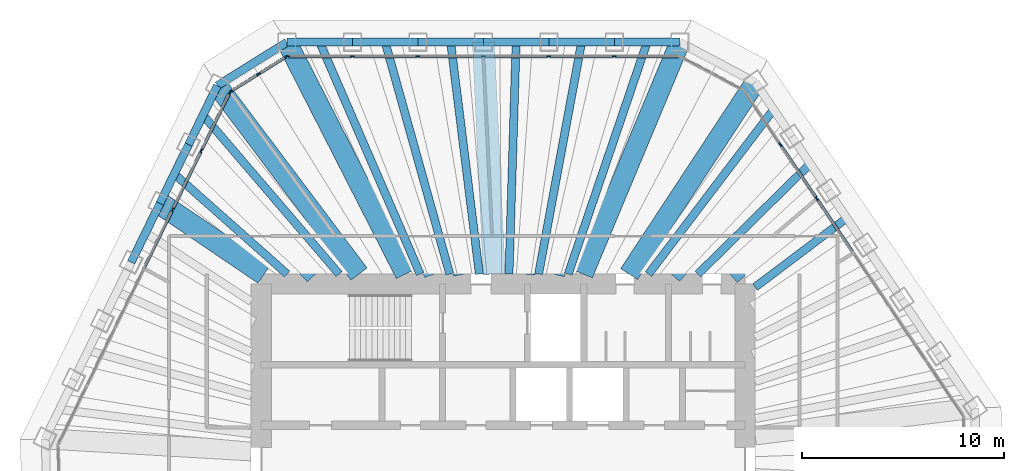
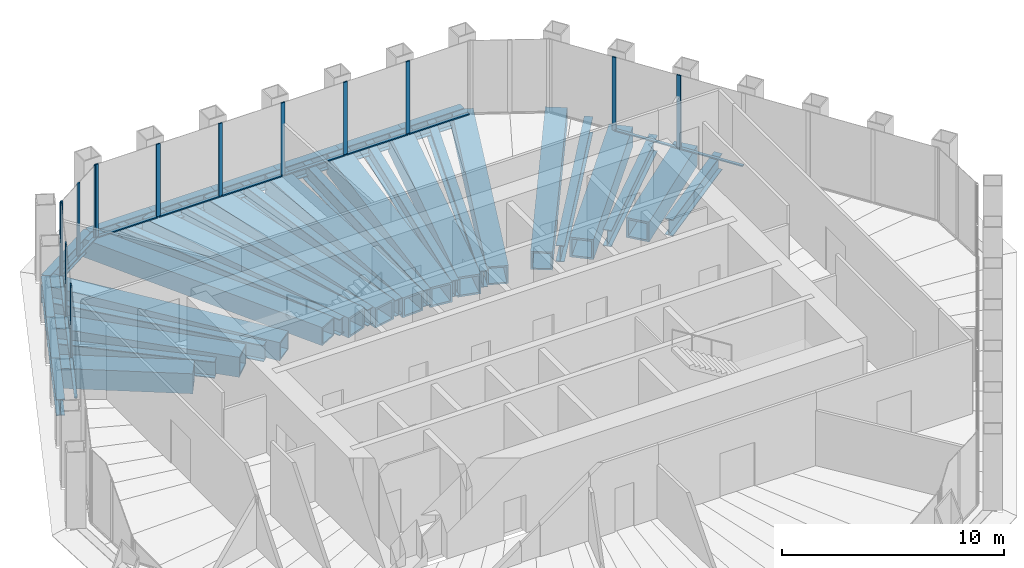
# One storey, part 7 of 14: 34 beams, 27 members, 4 elements without a shape of their own.
"""IFC4 building model written with IfcOpenShell, lengths in metres."""

import ifcopenshell
import ifcopenshell.guid

model = None  # the IFC model being written
_history = None  # IfcOwnerHistory: only IFC2X3 demands one
_inside = {}  # id of a spatial element -> (the spatial element, [elements in it])
_under = {}  # id of a project, library or spatial element -> (it, [spatial elements below it])
_declared = {}  # id of a project -> (the project, [libraries it declares])
_typed = {}  # id of a type object -> (the type object, [elements of that type])
_made_of = {}  # id of a material, layer set ... -> (it, [elements and type objects made of it])


def new_model(schema):
    """Start an empty IFC model of exactly this schema.

    Asked for "IFC4X3", IfcOpenShell would pick the latest addendum, in which some entities
    have other attributes; the version numbers below select the first issue.
    IFC2X3 requires an IfcOwnerHistory on every rooted entity: one is made here for all.
    """
    global model, _history
    if schema == "IFC4X3":
        model = ifcopenshell.file(schema_version=(4, 3, 0, 0))
    else:
        model = ifcopenshell.file(schema=schema)
    _inside.clear()
    _under.clear()
    _declared.clear()
    _typed.clear()
    _made_of.clear()
    _history = None
    if model.schema == "IFC2X3":
        org = make("IfcOrganization", Name="unknown")
        user = make(
            "IfcPersonAndOrganization",
            ThePerson=make("IfcPerson", FamilyName="unknown"),
            TheOrganization=org,
        )
        app = make(
            "IfcApplication",
            ApplicationDeveloper=org,
            Version="unknown",
            ApplicationFullName="unknown",
            ApplicationIdentifier="unknown",
        )
        _history = make(
            "IfcOwnerHistory",
            OwningUser=user,
            OwningApplication=app,
            ChangeAction="ADDED",
            CreationDate=0,
        )
    return model


def make(cls, **values):
    """One entity of the class cls with the attributes given. An attribute that is None is left unset."""
    return model.create_entity(
        cls, **{name: value for name, value in values.items() if value is not None}
    )


def rooted(cls, **values):
    """An entity with a GlobalId (a new one), such as an element, a storey or a relation."""
    return make(cls, GlobalId=ifcopenshell.guid.new(), OwnerHistory=_history, **values)


def si_unit(unit_type, name, prefix=None):
    """IfcSIUnit, for example si_unit("LENGTHUNIT", "METRE", prefix="MILLI")."""
    return make("IfcSIUnit", UnitType=unit_type, Prefix=prefix, Name=name)


def assignment(units):
    """IfcUnitAssignment: the units of a project."""
    return None if units is None else make("IfcUnitAssignment", Units=units)


def point(xyz):
    """IfcCartesianPoint."""
    return None if xyz is None else make("IfcCartesianPoint", Coordinates=xyz)


def direction(xyz):
    """IfcDirection."""
    return None if xyz is None else make("IfcDirection", DirectionRatios=xyz)


def frame(location, z_axis=None, x_axis=None):
    """IfcAxis2Placement3D, a coordinate frame: its origin and axes. An axis left out is left unset."""
    return make(
        "IfcAxis2Placement3D",
        Location=point(location),
        Axis=direction(z_axis),
        RefDirection=direction(x_axis),
    )


def frame_2d(location, x_axis=None):
    """IfcAxis2Placement2D, a coordinate frame in the plane: its origin and x axis."""
    return make(
        "IfcAxis2Placement2D", Location=point(location), RefDirection=direction(x_axis)
    )


def origin():
    """The frame at (0, 0, 0) with its axes left unset."""
    return frame((0.0, 0.0, 0.0))


def origin_2d():
    """The frame at (0, 0) in the plane with its x axis left unset."""
    return frame_2d((0.0, 0.0))


def place(relative_to, where):
    """IfcLocalPlacement: puts the frame where relative to a parent placement (None: the world)."""
    return make(
        "IfcLocalPlacement", PlacementRelTo=relative_to, RelativePlacement=where
    )


def context(
    kind, dimensions, precision=None, world=None, true_north=None, identifier=None
):
    """IfcGeometricRepresentationContext, for example the 3D "Model" context."""
    return make(
        "IfcGeometricRepresentationContext",
        ContextIdentifier=identifier,
        ContextType=kind,
        CoordinateSpaceDimension=dimensions,
        Precision=precision,
        WorldCoordinateSystem=world,
        TrueNorth=true_north,
    )


def subcontext(parent, identifier, kind, view, scale=None):
    """IfcGeometricRepresentationSubContext, for example "Body" below "Model"."""
    return make(
        "IfcGeometricRepresentationSubContext",
        ContextIdentifier=identifier,
        ContextType=kind,
        ParentContext=parent,
        TargetScale=scale,
        TargetView=view,
    )


def project(units=None, contexts=None):
    """IfcProject with its units and contexts."""
    return rooted(
        "IfcProject",
        Name="project",
        RepresentationContexts=contexts,
        UnitsInContext=assignment(units),
    )


def spatial(cls, under=None, at=None, **own):
    """A site, building, storey or space (cls), placed at a placement, below another one or the project."""
    s = rooted(cls, ObjectPlacement=at, **own)
    if under is not None:
        _under.setdefault(under.id(), (under, []))[1].append(s)
    return s


def profile(cls, at=None, kind="AREA", **sizes):
    """A parametric profile (cls). Its sizes go by their IFC names, for example OverallWidth=200.0."""
    return make(cls, ProfileType=kind, Position=at, **sizes)


def rectangle(**sizes):
    """IfcRectangleProfileDef."""
    return profile("IfcRectangleProfileDef", **sizes)


def hollow_rectangle(**sizes):
    """IfcRectangleHollowProfileDef."""
    return profile("IfcRectangleHollowProfileDef", **sizes)


def i_section(**sizes):
    """IfcIShapeProfileDef."""
    return profile("IfcIShapeProfileDef", **sizes)


def extrude(swept, where, along, depth):
    """IfcExtrudedAreaSolid: the profile swept, set in the frame where, extruded along a direction by depth."""
    return make(
        "IfcExtrudedAreaSolid",
        SweptArea=swept,
        Position=where,
        ExtrudedDirection=direction(along),
        Depth=depth,
    )


def shape(context_of_items, identifier, shape_type, items):
    """IfcShapeRepresentation: the items that make up one representation, for example the "Body"."""
    return make(
        "IfcShapeRepresentation",
        ContextOfItems=context_of_items,
        RepresentationIdentifier=identifier,
        RepresentationType=shape_type,
        Items=items,
    )


def material(Name=None, Category=None):
    """IfcMaterial."""
    return make("IfcMaterial", Name=Name, Category=Category)


def material_profile(
    of_material, cross_section, Name=None, Category=None, Priority=None
):
    """IfcMaterialProfile: a cross section and its material."""
    return make(
        "IfcMaterialProfile",
        Name=Name,
        Material=of_material,
        Profile=cross_section,
        Priority=Priority,
        Category=Category,
    )


def profile_set(profiles, Name=None, composite=None):
    """IfcMaterialProfileSet."""
    return make(
        "IfcMaterialProfileSet",
        Name=Name,
        MaterialProfiles=profiles,
        CompositeProfile=composite,
    )


def made_of(thing, what):
    """Note that an element or type object is made of a material, layer set ...; save() writes the relation."""
    if what is not None:
        _made_of.setdefault(what.id(), (what, []))[1].append(thing)
    return thing


def type_object(cls, material=None, **own):
    """A type object (cls), such as IfcWallType, which elements share."""
    return made_of(rooted(cls, **own), material)


def element(
    cls,
    number,
    at=None,
    inside=None,
    cuts=None,
    type_object=None,
    material=None,
    context=None,
    identifier="Body",
    shape_type=None,
    held_by="IfcProductDefinitionShape",
    body=None,
    shapes=None,
    **own,
):
    """One element of the class cls, such as IfcWall. Its Tag is "e" and its number.

    at: its placement. inside: the storey or other place that contains it. cuts: it is an
    opening in that element (IfcRelVoidsElement). A single representation is given by context,
    identifier, shape_type and body (its items); several are given by shapes. held_by: the class
    of the entity that holds the representations. save() writes the other relations.
    """
    e = rooted(cls, Tag="e%d" % number, ObjectPlacement=at, **own)
    if body is not None:
        shapes = [shape(context, identifier, shape_type, body)]
    if shapes is not None:
        e.Representation = make(held_by, Representations=shapes)
    if inside is not None:
        _inside.setdefault(inside.id(), (inside, []))[1].append(e)
    if cuts is not None:
        rooted(
            "IfcRelVoidsElement", RelatingBuildingElement=cuts, RelatedOpeningElement=e
        )
    if type_object is not None:
        _typed.setdefault(type_object.id(), (type_object, []))[1].append(e)
    return made_of(e, material)


def aggregate(whole, parts):
    """IfcRelAggregates: a whole, such as a stair, and the parts it consists of."""
    return rooted("IfcRelAggregates", RelatingObject=whole, RelatedObjects=parts)


def save(model, path):
    """Write the relations noted so far, then the file.

    IfcRelAggregates (storeys below a building ...), IfcRelContainedInSpatialStructure (elements
    in a storey), IfcRelDefinesByType, IfcRelAssociatesMaterial and IfcRelDeclares: one each for
    every whole, place, type object, material and project.
    """
    for whole, parts in _under.values():
        aggregate(whole, parts)
    for where, things in _inside.values():
        rooted(
            "IfcRelContainedInSpatialStructure",
            RelatedElements=things,
            RelatingStructure=where,
        )
    for kind, things in _typed.values():
        rooted("IfcRelDefinesByType", RelatedObjects=things, RelatingType=kind)
    for what, things in _made_of.values():
        rooted("IfcRelAssociatesMaterial", RelatedObjects=things, RelatingMaterial=what)
    for by, libraries in _declared.values():
        rooted("IfcRelDeclares", RelatingContext=by, RelatedDefinitions=libraries)
    model.write(path)


model = new_model("IFC4")

# Units and contexts
model_context = context("Model", 3, precision=1e-05, world=origin(), true_north=direction((0.0, 1.0)))
body_context = subcontext(model_context, "Body", "Model", "MODEL_VIEW")
ifc_project = project(units=[si_unit("LENGTHUNIT", "METRE"), si_unit("AREAUNIT", "SQUARE_METRE"), si_unit("VOLUMEUNIT", "CUBIC_METRE"), si_unit("PLANEANGLEUNIT", "RADIAN"), si_unit("MASSUNIT", "GRAM", prefix="KILO")], contexts=[model_context])

# Site, building, storey
site_placement = place(None, origin())
site = spatial("IfcSite", under=ifc_project, at=site_placement, CompositionType="ELEMENT")
building_placement = place(site_placement, origin())
building = spatial("IfcBuilding", under=site, at=building_placement, Name="Qingtian Harvest Tower", CompositionType="ELEMENT")
storey_placement = place(building_placement, frame((0.0, 0.0, 299.800048828125)))
storey = spatial("IfcBuildingStorey", under=building, at=storey_placement, Name="L66", CompositionType="ELEMENT", Elevation=299.800048828125)

# Beams
ifc_material_1 = material(Name="Steel SN490B", Category="steel")
ifc_material_profile_1 = material_profile(ifc_material_1, i_section(OverallWidth=0.39990234375, OverallDepth=0.89990234375, WebThickness=0.01904296875, FlangeThickness=0.035888671875, at=origin_2d()), Name="H900x400x19x36")
ifc_profile_set_1 = profile_set([ifc_material_profile_1], Name="Steel SN490B")
beam_type_1 = type_object("IfcBeamType", Name="Floor joist J4 H900x400x19x36", PredefinedType="JOIST", material=ifc_profile_set_1)
beam_1_placement = place(storey_placement, frame((-9.09814453125, 21.0, -0.6201171875), z_axis=(0.397529807491, -0.917589261138, 0.0), x_axis=(0.917589261138, 0.397529807491, 0.0)))
element("IfcBeam", 1, at=beam_1_placement, inside=storey, type_object=beam_type_1, Name="Floor joist J4 N0", PredefinedType="JOIST", context=body_context, shape_type="SweptSolid", body=[
    extrude(i_section(OverallWidth=0.39990234375, OverallDepth=0.89990234375, WebThickness=0.01904296875, FlangeThickness=0.035888671875, at=origin_2d()), origin(), (0.0, 0.0, 1.0), 12.532958984375),
])
beam_2_placement = place(storey_placement, frame((-5.85009765625, 21.0, -0.6201171875), z_axis=(0.268356818155, -0.963319582563, 0.0), x_axis=(0.963319582563, 0.268356818155, 0.0)))
element("IfcBeam", 2, at=beam_2_placement, inside=storey, type_object=beam_type_1, Name="Floor joist J4 N1", PredefinedType="JOIST", context=body_context, shape_type="SweptSolid", body=[
    extrude(i_section(OverallWidth=0.39990234375, OverallDepth=0.89990234375, WebThickness=0.01904296875, FlangeThickness=0.035888671875, at=origin_2d()), origin(), (0.0, 0.0, 1.0), 11.93798828125),
])
beam_3_placement = place(storey_placement, frame((-2.602294921875, 21.0, -0.6201171875), z_axis=(0.122976702395, -0.992409557929, 0.0), x_axis=(0.992409557929, 0.122976702395, 0.0)))
element("IfcBeam", 3, at=beam_3_placement, inside=storey, type_object=beam_type_1, Name="Floor joist J4 N2", PredefinedType="JOIST", context=body_context, shape_type="SweptSolid", body=[
    extrude(i_section(OverallWidth=0.39990234375, OverallDepth=0.89990234375, WebThickness=0.01904296875, FlangeThickness=0.035888671875, at=origin_2d()), origin(), (0.0, 0.0, 1.0), 11.587890625),
])
beam_4_placement = place(storey_placement, frame((0.645751953125, 21.0, -0.6201171875), z_axis=(-0.030725974878, -0.999527845769, 0.0), x_axis=(0.999527845769, -0.030725974878, 0.0)))
element("IfcBeam", 4, at=beam_4_placement, inside=storey, type_object=beam_type_1, Name="Floor joist J4 N3", PredefinedType="JOIST", context=body_context, shape_type="SweptSolid", body=[
    extrude(i_section(OverallWidth=0.39990234375, OverallDepth=0.89990234375, WebThickness=0.01904296875, FlangeThickness=0.035888671875, at=origin_2d()), origin(), (0.0, 0.0, 1.0), 11.50537109375),
])
beam_5_placement = place(storey_placement, frame((3.893798828125, 21.0, -0.6201171875), z_axis=(-0.182312001941, -0.983240730416, 0.0), x_axis=(0.983240730416, -0.182312001941, 0.0)))
element("IfcBeam", 5, at=beam_5_placement, inside=storey, type_object=beam_type_1, Name="Floor joist J4 N4", PredefinedType="JOIST", context=body_context, shape_type="SweptSolid", body=[
    extrude(i_section(OverallWidth=0.39990234375, OverallDepth=0.89990234375, WebThickness=0.01904296875, FlangeThickness=0.035888671875, at=origin_2d()), origin(), (0.0, 0.0, 1.0), 11.696044921875),
])
beam_6_placement = place(storey_placement, frame((7.141845703125, 21.0, -0.6201171875), z_axis=(-0.321968312345, -0.94675044539, 0.0), x_axis=(0.94675044539, -0.321968312345, 0.0)))
element("IfcBeam", 6, at=beam_6_placement, inside=storey, type_object=beam_type_1, Name="Floor joist J4 N5", PredefinedType="JOIST", context=body_context, shape_type="SweptSolid", body=[
    extrude(i_section(OverallWidth=0.39990234375, OverallDepth=0.89990234375, WebThickness=0.01904296875, FlangeThickness=0.035888671875, at=origin_2d()), origin(), (0.0, 0.0, 1.0), 12.146728515625),
])
beam_7_placement = place(storey_placement, frame((13.416015625, 17.6640625, -0.6201171875), z_axis=(-0.604835675798, -0.796350303122, 0.0), x_axis=(0.796350303122, -0.604835675798, 0.0)))
element("IfcBeam", 7, at=beam_7_placement, inside=storey, type_object=beam_type_1, Name="Floor joist J4 NE0", PredefinedType="JOIST", context=body_context, shape_type="SweptSolid", body=[
    extrude(i_section(OverallWidth=0.39990234375, OverallDepth=0.89990234375, WebThickness=0.01904296875, FlangeThickness=0.035888671875, at=origin_2d()), origin(), (0.0, 0.0, 1.0), 10.251953125),
])
beam_8_placement = place(storey_placement, frame((15.232421875, 14.97119140625, -0.6201171875), z_axis=(-0.713195408707, -0.700965269467, 0.0), x_axis=(0.700965269467, -0.713195408707, 0.0)))
element("IfcBeam", 8, at=beam_8_placement, inside=storey, type_object=beam_type_1, Name="Floor joist J4 NE1", PredefinedType="JOIST", context=body_context, shape_type="SweptSolid", body=[
    extrude(i_section(OverallWidth=0.39990234375, OverallDepth=0.89990234375, WebThickness=0.01904296875, FlangeThickness=0.035888671875, at=origin_2d()), origin(), (0.0, 0.0, 1.0), 7.80517578125),
])
beam_9_placement = place(storey_placement, frame((17.048583984375, 12.278564453125, -0.6201171875), z_axis=(-0.79856269076, -0.601911645448, 0.0), x_axis=(0.601911645448, -0.79856269076, 0.0)))
element("IfcBeam", 9, at=beam_9_placement, inside=storey, type_object=beam_type_1, Name="Floor joist J4 NE2", PredefinedType="JOIST", context=body_context, shape_type="SweptSolid", body=[
    extrude(i_section(OverallWidth=0.39990234375, OverallDepth=0.89990234375, WebThickness=0.01904296875, FlangeThickness=0.035888671875, at=origin_2d()), origin(), (0.0, 0.0, 1.0), 5.696044921875),
])
beam_10_placement = place(storey_placement, frame((-16.31005859375, 14.4638671875, -0.6201171875), z_axis=(0.748179407524, -0.663496476372, 0.0), x_axis=(0.663496476372, 0.748179407524, 0.0)))
element("IfcBeam", 10, at=beam_10_placement, inside=storey, type_object=beam_type_1, Name="Floor joist J4 NW4", PredefinedType="JOIST", context=body_context, shape_type="SweptSolid", body=[
    extrude(i_section(OverallWidth=0.39990234375, OverallDepth=0.89990234375, WebThickness=0.01904296875, FlangeThickness=0.035888671875, at=origin_2d()), origin(), (0.0, 0.0, 1.0), 7.4814453125),
])
beam_11_placement = place(storey_placement, frame((-14.88623046875, 17.38330078125, -0.6201171875), z_axis=(0.650436795804, -0.7595603825, 0.0), x_axis=(0.7595603825, 0.650436795804, 0.0)))
element("IfcBeam", 11, at=beam_11_placement, inside=storey, type_object=beam_type_1, Name="Floor joist J4 NW5", PredefinedType="JOIST", context=body_context, shape_type="SweptSolid", body=[
    extrude(i_section(OverallWidth=0.39990234375, OverallDepth=0.89990234375, WebThickness=0.01904296875, FlangeThickness=0.035888671875, at=origin_2d()), origin(), (0.0, 0.0, 1.0), 10.378662109375),
])

# Curtain wall, members
ifc_material_2 = material(Name="Bronze-anodised aluminium curtain wall", Category="aluminium")
curtain_wall_type = type_object("IfcCurtainWallType", Name="Curtain wall CW5 upper office", PredefinedType="USERDEFINED", material=ifc_material_2)
curtain_wall_1_placement = place(storey_placement, origin())
curtain_wall_1 = element("IfcCurtainWall", 12, at=curtain_wall_1_placement, inside=storey, type_object=curtain_wall_type, Name="Curtain wall CW5 L66 N0-5", ObjectType="RECESSED CURTAIN WALL", PredefinedType="USERDEFINED")
ifc_material_3 = material(Name="Bronze-anodised aluminium mullion", Category="aluminium")
ifc_material_profile_2 = material_profile(ifc_material_3, rectangle(XDim=0.06494140625, YDim=0.199951171875, at=origin_2d()), Name="AL 65x200")
ifc_profile_set_2 = profile_set([ifc_material_profile_2], Name="Bronze-anodised aluminium mullion")
member_type_1 = type_object("IfcMemberType", Name="Mullion CWM 65x200", PredefinedType="MULLION", material=ifc_profile_set_2)
member_1_placement = place(storey_placement, frame((-10.689697265625, 20.300048828125, 0.0), z_axis=(0.0, 0.0, 1.0), x_axis=(0.0, 1.0, 0.0)))
member_1 = element("IfcMember", 13, at=member_1_placement, type_object=member_type_1, Name="CW5 mullion 1", PredefinedType="MULLION", context=body_context, shape_type="SweptSolid", body=[
    extrude(rectangle(XDim=0.06494140625, YDim=0.199951171875, at=origin_2d()), origin(), (0.0, 0.0, 1.0), 4.030029296875),
])
member_2_placement = place(storey_placement, frame((-7.47412109375, 20.300048828125, 0.0), z_axis=(0.0, 0.0, 1.0), x_axis=(0.0, 1.0, 0.0)))
member_2 = element("IfcMember", 14, at=member_2_placement, type_object=member_type_1, Name="CW5 mullion 2", PredefinedType="MULLION", context=body_context, shape_type="SweptSolid", body=[
    extrude(rectangle(XDim=0.06494140625, YDim=0.199951171875, at=origin_2d()), origin(), (0.0, 0.0, 1.0), 4.030029296875),
])
member_3_placement = place(storey_placement, frame((-4.226318359375, 20.300048828125, 0.0), z_axis=(0.0, 0.0, 1.0), x_axis=(0.0, 1.0, 0.0)))
member_3 = element("IfcMember", 15, at=member_3_placement, type_object=member_type_1, Name="CW5 mullion 3", PredefinedType="MULLION", context=body_context, shape_type="SweptSolid", body=[
    extrude(rectangle(XDim=0.06494140625, YDim=0.199951171875, at=origin_2d()), origin(), (0.0, 0.0, 1.0), 4.030029296875),
])
member_4_placement = place(storey_placement, frame((-0.978271484375, 20.300048828125, 0.0), z_axis=(0.0, 0.0, 1.0), x_axis=(0.0, 1.0, 0.0)))
member_4 = element("IfcMember", 16, at=member_4_placement, type_object=member_type_1, Name="CW5 mullion 4", PredefinedType="MULLION", context=body_context, shape_type="SweptSolid", body=[
    extrude(rectangle(XDim=0.06494140625, YDim=0.199951171875, at=origin_2d()), origin(), (0.0, 0.0, 1.0), 4.030029296875),
])
member_5_placement = place(storey_placement, frame((2.269775390625, 20.300048828125, 0.0), z_axis=(0.0, 0.0, 1.0), x_axis=(0.0, 1.0, 0.0)))
member_5 = element("IfcMember", 17, at=member_5_placement, type_object=member_type_1, Name="CW5 mullion 5", PredefinedType="MULLION", context=body_context, shape_type="SweptSolid", body=[
    extrude(rectangle(XDim=0.06494140625, YDim=0.199951171875, at=origin_2d()), origin(), (0.0, 0.0, 1.0), 4.030029296875),
])
member_6_placement = place(storey_placement, frame((5.517822265625, 20.300048828125, 0.0), z_axis=(0.0, 0.0, 1.0), x_axis=(0.0, 1.0, 0.0)))
member_6 = element("IfcMember", 18, at=member_6_placement, type_object=member_type_1, Name="CW5 mullion 6", PredefinedType="MULLION", context=body_context, shape_type="SweptSolid", body=[
    extrude(rectangle(XDim=0.06494140625, YDim=0.199951171875, at=origin_2d()), origin(), (0.0, 0.0, 1.0), 4.030029296875),
])

curtain_wall_2_placement = place(storey_placement, origin())
curtain_wall_2 = element("IfcCurtainWall", 19, at=curtain_wall_2_placement, inside=storey, type_object=curtain_wall_type, Name="Curtain wall CW5 L66 NE0-5", ObjectType="RECESSED CURTAIN WALL", PredefinedType="USERDEFINED")
member_7_placement = place(storey_placement, frame((13.743896484375, 15.926025390625, 0.0), z_axis=(0.0, 0.0, 1.0), x_axis=(0.829037572555, 0.559192903471, 0.0)))
member_7 = element("IfcMember", 20, at=member_7_placement, type_object=member_type_1, Name="CW5 mullion 2", PredefinedType="MULLION", context=body_context, shape_type="SweptSolid", body=[
    extrude(rectangle(XDim=0.06494140625, YDim=0.199951171875, at=origin_2d()), origin(), (0.0, 0.0, 1.0), 4.030029296875),
])
member_8_placement = place(storey_placement, frame((15.56005859375, 13.2333984375, 0.0), z_axis=(0.0, 0.0, 1.0), x_axis=(0.829037572555, 0.559192903471, 0.0)))
member_8 = element("IfcMember", 21, at=member_8_placement, type_object=member_type_1, Name="CW5 mullion 3", PredefinedType="MULLION", context=body_context, shape_type="SweptSolid", body=[
    extrude(rectangle(XDim=0.06494140625, YDim=0.199951171875, at=origin_2d()), origin(), (0.0, 0.0, 1.0), 4.030029296875),
])

curtain_wall_3_placement = place(storey_placement, origin())
curtain_wall_3 = element("IfcCurtainWall", 22, at=curtain_wall_3_placement, inside=storey, type_object=curtain_wall_type, Name="Curtain wall CW5 L66 NW0-5", ObjectType="RECESSED CURTAIN WALL", PredefinedType="USERDEFINED")
member_9_placement = place(storey_placement, frame((-16.392822265625, 12.697509765625, 0.0), z_axis=(0.0, 0.0, 1.0), x_axis=(-0.898794046299, 0.438371146789, 0.0)))
member_9 = element("IfcMember", 23, at=member_9_placement, type_object=member_type_1, Name="CW5 mullion 5", PredefinedType="MULLION", context=body_context, shape_type="SweptSolid", body=[
    extrude(rectangle(XDim=0.06494140625, YDim=0.199951171875, at=origin_2d()), origin(), (0.0, 0.0, 1.0), 4.030029296875),
])
member_10_placement = place(storey_placement, frame((-14.968994140625, 15.61669921875, 0.0), z_axis=(0.0, 0.0, 1.0), x_axis=(-0.898794046299, 0.438371146789, 0.0)))
member_10 = element("IfcMember", 24, at=member_10_placement, type_object=member_type_1, Name="CW5 mullion 6", PredefinedType="MULLION", context=body_context, shape_type="SweptSolid", body=[
    extrude(rectangle(XDim=0.06494140625, YDim=0.199951171875, at=origin_2d()), origin(), (0.0, 0.0, 1.0), 4.030029296875),
])
member_11_placement = place(storey_placement, frame((-13.559326171875, 18.5068359375, 0.0), z_axis=(0.0, 0.0, 1.0), x_axis=(-0.898794046299, 0.438371146789, 0.0)))
member_11 = element("IfcMember", 25, at=member_11_placement, type_object=member_type_1, Name="CW5 mullion 7", PredefinedType="MULLION", context=body_context, shape_type="SweptSolid", body=[
    extrude(rectangle(XDim=0.06494140625, YDim=0.199951171875, at=origin_2d()), origin(), (0.0, 0.0, 1.0), 4.030029296875),
])

curtain_wall_4_placement = place(storey_placement, origin())
curtain_wall_4 = element("IfcCurtainWall", 26, at=curtain_wall_4_placement, inside=storey, type_object=curtain_wall_type, Name="Curtain wall CW5 L66 NWC", ObjectType="RECESSED CURTAIN WALL", PredefinedType="USERDEFINED")
member_12_placement = place(storey_placement, frame((-13.517578125, 18.55322265625, 0.0), z_axis=(0.0, 0.0, 1.0), x_axis=(-0.529919264233, 0.848048096156, 0.0)))
member_12 = element("IfcMember", 27, at=member_12_placement, type_object=member_type_1, Name="CW5 mullion 1", PredefinedType="MULLION", context=body_context, shape_type="SweptSolid", body=[
    extrude(rectangle(XDim=0.06494140625, YDim=0.199951171875, at=origin_2d()), origin(), (0.0, 0.0, 1.0), 4.030029296875),
])
member_13_placement = place(storey_placement, frame((-12.1337890625, 19.41796875, 0.0), z_axis=(0.0, 0.0, 1.0), x_axis=(-0.529919264233, 0.848048096156, 0.0)))
member_13 = element("IfcMember", 28, at=member_13_placement, type_object=member_type_1, Name="CW5 mullion 2", PredefinedType="MULLION", context=body_context, shape_type="SweptSolid", body=[
    extrude(rectangle(XDim=0.06494140625, YDim=0.199951171875, at=origin_2d()), origin(), (0.0, 0.0, 1.0), 4.030029296875),
])
member_14_placement = place(storey_placement, frame((-10.749755859375, 20.28271484375, 0.0), z_axis=(0.0, 0.0, 1.0), x_axis=(-0.529919264233, 0.848048096156, 0.0)))
member_14 = element("IfcMember", 29, at=member_14_placement, type_object=member_type_1, Name="CW5 mullion 3", PredefinedType="MULLION", context=body_context, shape_type="SweptSolid", body=[
    extrude(rectangle(XDim=0.06494140625, YDim=0.199951171875, at=origin_2d()), origin(), (0.0, 0.0, 1.0), 4.030029296875),
])

# Beams
ifc_material_4 = material(Name="Steel SN490B", Category="steel")
ifc_material_profile_3 = material_profile(ifc_material_4, i_section(OverallWidth=0.39990234375, OverallDepth=0.89990234375, WebThickness=0.01904296875, FlangeThickness=0.035888671875, at=origin_2d()), Name="H900x400x19x36")
ifc_profile_set_3 = profile_set([ifc_material_profile_3], Name="Steel SN490B")
beam_type_2 = type_object("IfcBeamType", Name="Spandrel beam SB4 H900x400x19x36", PredefinedType="SPANDREL", material=ifc_profile_set_3)
beam_12_placement = place(storey_placement, frame((-10.72216796875, 21.0, -0.449951171875), z_axis=(1.0, 0.0, 0.0), x_axis=(0.0, 1.0, 0.0)))
element("IfcBeam", 30, at=beam_12_placement, inside=storey, type_object=beam_type_2, Name="Spandrel SB4 N0", PredefinedType="SPANDREL", context=body_context, shape_type="SweptSolid", body=[
    extrude(i_section(OverallWidth=0.39990234375, OverallDepth=0.89990234375, WebThickness=0.01904296875, FlangeThickness=0.035888671875, at=origin_2d()), origin(), (0.0, 0.0, 1.0), 3.248046875),
])
beam_13_placement = place(storey_placement, frame((-7.47412109375, 21.0, -0.449951171875), z_axis=(1.0, 0.0, 0.0), x_axis=(0.0, 1.0, 0.0)))
element("IfcBeam", 31, at=beam_13_placement, inside=storey, type_object=beam_type_2, Name="Spandrel SB4 N1", PredefinedType="SPANDREL", context=body_context, shape_type="SweptSolid", body=[
    extrude(i_section(OverallWidth=0.39990234375, OverallDepth=0.89990234375, WebThickness=0.01904296875, FlangeThickness=0.035888671875, at=origin_2d()), origin(), (0.0, 0.0, 1.0), 3.247802734375),
])
for number, where, z_axis, x_axis, name in (
    (32, (-4.226318359375, 21.0, -0.449951171875), (1.0, 0.0, 0.0), (0.0, 1.0, 0.0), "Spandrel SB4 N2"),
    (33, (-0.978271484375, 21.0, -0.449951171875), (1.0, 0.0, 0.0), (0.0, 1.0, 0.0), "Spandrel SB4 N3"),
    (34, (2.269775390625, 21.0, -0.449951171875), (1.0, 0.0, 0.0), (0.0, 1.0, 0.0), "Spandrel SB4 N4"),
    (35, (5.517822265625, 21.0, -0.449951171875), (1.0, 0.0, 0.0), (0.0, 1.0, 0.0), "Spandrel SB4 N5"),
    (36, (-18.44580078125, 10.0849609375, -0.449951171875), (0.438352548749, 0.898803116931, 0.0), (-0.898803116931, 0.438352548749, 0.0), "Spandrel SB4 NW3"),
):
    element("IfcBeam", number, at=place(storey_placement, frame(where, z_axis=z_axis, x_axis=x_axis)), inside=storey, type_object=beam_type_2, Name=name, PredefinedType="SPANDREL", context=body_context, shape_type="SweptSolid", body=[
        extrude(i_section(OverallWidth=0.39990234375, OverallDepth=0.89990234375, WebThickness=0.01904296875, FlangeThickness=0.035888671875, at=origin_2d()), origin(), (0.0, 0.0, 1.0), 3.248046875),
    ])
for number, where, z_axis, x_axis, name in (
    (37, (-17.02197265625, 13.00439453125, -0.449951171875), (0.438382164311, 0.898788672611, 0.0), (-0.898788672611, 0.438382164311, 0.0), "Spandrel SB4 NW4"),
    (38, (-15.59814453125, 15.923583984375, -0.449951171875), (0.438382164311, 0.898788672611, 0.0), (-0.898788672611, 0.438382164311, 0.0), "Spandrel SB4 NW5"),
):
    element("IfcBeam", number, at=place(storey_placement, frame(where, z_axis=z_axis, x_axis=x_axis)), inside=storey, type_object=beam_type_2, Name=name, PredefinedType="SPANDREL", context=body_context, shape_type="SweptSolid", body=[
        extrude(i_section(OverallWidth=0.39990234375, OverallDepth=0.89990234375, WebThickness=0.01904296875, FlangeThickness=0.035888671875, at=origin_2d()), origin(), (0.0, 0.0, 1.0), 3.247802734375),
    ])
beam_14_placement = place(storey_placement, frame((-14.17431640625, 18.8427734375, -0.449951171875), z_axis=(0.848038733752, 0.529934246919, 0.0), x_axis=(-0.529934246919, 0.848038733752, 0.0)))
element("IfcBeam", 39, at=beam_14_placement, inside=storey, type_object=beam_type_2, Name="Spandrel SB4 NWC", PredefinedType="SPANDREL", context=body_context, shape_type="SweptSolid", body=[
    extrude(i_section(OverallWidth=0.39990234375, OverallDepth=0.89990234375, WebThickness=0.01904296875, FlangeThickness=0.035888671875, at=origin_2d()), origin(), (0.0, 0.0, 1.0), 4.07080078125),
])
ifc_material_5 = material(Name="Steel SM570MC", Category="steel")
ifc_material_profile_4 = material_profile(ifc_material_5, hollow_rectangle(XDim=1.0, YDim=1.0, WallThickness=0.080078125, at=origin_2d()), Name="BOX1000x1000x80")
ifc_profile_set_4 = profile_set([ifc_material_profile_4], Name="Steel SM570MC")
beam_type_3 = type_object("IfcBeamType", Name="Transfer corner beam FB11 BOX1000x1000x80", PredefinedType="BEAM", material=ifc_profile_set_4)
beam_15_placement = place(storey_placement, frame((-10.72216796875, 21.0, -0.670166015625), z_axis=(0.454730568944, -0.890629052787, 0.0), x_axis=(0.890629052787, 0.454730568944, 0.0)))
element("IfcBeam", 40, at=beam_15_placement, inside=storey, type_object=beam_type_3, Name="Floor beam FB11 N0", PredefinedType="BEAM", context=body_context, shape_type="SweptSolid", body=[
    extrude(hollow_rectangle(XDim=1.0, YDim=1.0, WallThickness=0.080078125, at=origin_2d()), origin(), (0.0, 0.0, 1.0), 12.912109375),
])
beam_16_placement = place(storey_placement, frame((8.765869140625, 21.0, -0.670166015625), z_axis=(-0.385205133264, -0.922830973313, 0.0), x_axis=(0.922830973313, -0.385205133264, 0.0)))
element("IfcBeam", 41, at=beam_16_placement, inside=storey, type_object=beam_type_3, Name="Floor beam FB11 N6", PredefinedType="BEAM", context=body_context, shape_type="SweptSolid", body=[
    extrude(hollow_rectangle(XDim=1.0, YDim=1.0, WallThickness=0.080078125, at=origin_2d()), origin(), (0.0, 0.0, 1.0), 12.461669921875),
])
beam_17_placement = place(storey_placement, frame((12.508056640625, 19.01025390625, -0.670166015625), z_axis=(-0.549666916329, -0.835383912398, 0.0), x_axis=(0.835383912398, -0.549666916329, 0.0)))
element("IfcBeam", 42, at=beam_17_placement, inside=storey, type_object=beam_type_3, Name="Floor beam FB11 NE0", PredefinedType="BEAM", context=body_context, shape_type="SweptSolid", body=[
    extrude(hollow_rectangle(XDim=1.0, YDim=1.0, WallThickness=0.080078125, at=origin_2d()), origin(), (0.0, 0.0, 1.0), 11.38427734375),
])
beam_18_placement = place(storey_placement, frame((-14.17431640625, 18.8427734375, -0.670166015625), z_axis=(0.601148761641, -0.799137138655, 0.0), x_axis=(0.799137138655, 0.601148761641, 0.0)))
element("IfcBeam", 43, at=beam_18_placement, inside=storey, type_object=beam_type_3, Name="Floor beam FB11 NW6", PredefinedType="BEAM", context=body_context, shape_type="SweptSolid", body=[
    extrude(hollow_rectangle(XDim=1.0, YDim=1.0, WallThickness=0.080078125, at=origin_2d()), origin(), (0.0, 0.0, 1.0), 11.691162109375),
])
ifc_material_6 = material(Name="Steel SM570MC", Category="steel")
ifc_material_profile_5 = material_profile(ifc_material_6, hollow_rectangle(XDim=1.10009765625, YDim=1.10009765625, WallThickness=0.10009765625, at=origin_2d()), Name="BOX1100x1100x100")
ifc_profile_set_5 = profile_set([ifc_material_profile_5], Name="Steel SM570MC")
beam_type_4 = type_object("IfcBeamType", Name="Transfer floor beam FB9 BOX1100x1100x100", PredefinedType="BEAM", material=ifc_profile_set_5)
beam_19_placement = place(storey_placement, frame((-7.47412109375, 21.0, -0.719970703125), z_axis=(0.335309922571, -0.94210787908, 0.0), x_axis=(0.94210787908, 0.335309922571, 0.0)))
element("IfcBeam", 44, at=beam_19_placement, inside=storey, type_object=beam_type_4, Name="Floor beam FB9 N1", PredefinedType="BEAM", context=body_context, shape_type="SweptSolid", body=[
    extrude(hollow_rectangle(XDim=1.10009765625, YDim=1.10009765625, WallThickness=0.10009765625, at=origin_2d()), origin(), (0.0, 0.0, 1.0), 12.206787109375),
])
beam_20_placement = place(storey_placement, frame((-4.226318359375, 21.0, -0.719970703125), z_axis=(0.197300692693, -0.980343019898, 0.0), x_axis=(0.980343019898, 0.197300692693, 0.0)))
element("IfcBeam", 45, at=beam_20_placement, inside=storey, type_object=beam_type_4, Name="Floor beam FB9 N2", PredefinedType="BEAM", context=body_context, shape_type="SweptSolid", body=[
    extrude(hollow_rectangle(XDim=1.10009765625, YDim=1.10009765625, WallThickness=0.10009765625, at=origin_2d()), origin(), (0.0, 0.0, 1.0), 11.73046875),
])
beam_21_placement = place(storey_placement, frame((-0.978271484375, 21.0, -0.719970703125), z_axis=(0.046527342366, -0.99891701678, 0.0), x_axis=(0.99891701678, 0.046527342366, 0.0)))
element("IfcBeam", 46, at=beam_21_placement, inside=storey, type_object=beam_type_4, Name="Floor beam FB9 N3", PredefinedType="BEAM", context=body_context, shape_type="SweptSolid", body=[
    extrude(hollow_rectangle(XDim=1.10009765625, YDim=1.10009765625, WallThickness=0.10009765625, at=origin_2d()), origin(), (0.0, 0.0, 1.0), 11.512451171875),
])
beam_22_placement = place(storey_placement, frame((2.269775390625, 21.0, -0.719970703125), z_axis=(-0.107454213734, -0.994210034123, 0.0), x_axis=(0.994210034123, -0.107454213734, 0.0)))
element("IfcBeam", 47, at=beam_22_placement, inside=storey, type_object=beam_type_4, Name="Floor beam FB9 N4", PredefinedType="BEAM", context=body_context, shape_type="SweptSolid", body=[
    extrude(hollow_rectangle(XDim=1.10009765625, YDim=1.10009765625, WallThickness=0.10009765625, at=origin_2d()), origin(), (0.0, 0.0, 1.0), 11.56689453125),
])
beam_23_placement = place(storey_placement, frame((5.517822265625, 21.0, -0.719970703125), z_axis=(-0.254132470973, -0.967169420111, 0.0), x_axis=(0.967169420111, -0.254132470973, 0.0)))
element("IfcBeam", 48, at=beam_23_placement, inside=storey, type_object=beam_type_4, Name="Floor beam FB9 N5", PredefinedType="BEAM", context=body_context, shape_type="SweptSolid", body=[
    extrude(hollow_rectangle(XDim=1.10009765625, YDim=1.10009765625, WallThickness=0.10009765625, at=origin_2d()), origin(), (0.0, 0.0, 1.0), 11.890380859375),
])
beam_24_placement = place(storey_placement, frame((14.32421875, 16.317626953125, -0.719970703125), z_axis=(-0.659702205655, -0.751527111856, 0.0), x_axis=(0.751527111856, -0.659702205655, 0.0)))
element("IfcBeam", 49, at=beam_24_placement, inside=storey, type_object=beam_type_4, Name="Floor beam FB9 NE1", PredefinedType="BEAM", context=body_context, shape_type="SweptSolid", body=[
    extrude(hollow_rectangle(XDim=1.10009765625, YDim=1.10009765625, WallThickness=0.10009765625, at=origin_2d()), origin(), (0.0, 0.0, 1.0), 9.07177734375),
])
beam_25_placement = place(storey_placement, frame((16.140625, 13.624755859375, -0.719970703125), z_axis=(-0.764153276603, -0.645034704382, 0.0), x_axis=(0.645034704382, -0.764153276603, 0.0)))
element("IfcBeam", 50, at=beam_25_placement, inside=storey, type_object=beam_type_4, Name="Floor beam FB9 NE2", PredefinedType="BEAM", context=body_context, shape_type="SweptSolid", body=[
    extrude(hollow_rectangle(XDim=1.10009765625, YDim=1.10009765625, WallThickness=0.10009765625, at=origin_2d()), origin(), (0.0, 0.0, 1.0), 6.39453125),
])
beam_26_placement = place(storey_placement, frame((-17.02197265625, 13.00439453125, -0.719970703125), z_axis=(0.827854296295, -0.560943191514, 0.0), x_axis=(0.560943191514, 0.827854296295, 0.0)))
element("IfcBeam", 51, at=beam_26_placement, inside=storey, type_object=beam_type_4, Name="Floor beam FB9 NW4", PredefinedType="BEAM", context=body_context, shape_type="SweptSolid", body=[
    extrude(hollow_rectangle(XDim=1.10009765625, YDim=1.10009765625, WallThickness=0.10009765625, at=origin_2d()), origin(), (0.0, 0.0, 1.0), 6.247314453125),
])
beam_27_placement = place(storey_placement, frame((-15.59814453125, 15.923583984375, -0.719970703125), z_axis=(0.699765413715, -0.714372707883, 0.0), x_axis=(0.714372707883, 0.699765413715, 0.0)))
element("IfcBeam", 52, at=beam_27_placement, inside=storey, type_object=beam_type_4, Name="Floor beam FB9 NW5", PredefinedType="BEAM", context=body_context, shape_type="SweptSolid", body=[
    extrude(hollow_rectangle(XDim=1.10009765625, YDim=1.10009765625, WallThickness=0.10009765625, at=origin_2d()), origin(), (0.0, 0.0, 1.0), 8.991943359375),
])

# Member
ifc_material_7 = material(Name="Bronze-anodised aluminium transom", Category="aluminium")
ifc_material_profile_6 = material_profile(ifc_material_7, rectangle(XDim=0.14990234375, YDim=0.06494140625, at=origin_2d()), Name="AL 65x150")
ifc_profile_set_6 = profile_set([ifc_material_profile_6], Name="Bronze-anodised aluminium transom")
member_type_2 = type_object("IfcMemberType", Name="Transom CWT 65x150", PredefinedType="USERDEFINED", material=ifc_profile_set_6)
member_15_placement = place(storey_placement, frame((-10.6572265625, 20.300048828125, 0.032470703125), z_axis=(1.0, 0.0, 0.0), x_axis=(0.0, 1.0, 0.0)))
member_15 = element("IfcMember", 53, at=member_15_placement, type_object=member_type_2, Name="CW5 transom 1.1", ObjectType="TRANSOM", PredefinedType="USERDEFINED", context=body_context, shape_type="SweptSolid", body=[
    extrude(rectangle(XDim=0.14990234375, YDim=0.06494140625, at=origin_2d()), origin(), (0.0, 0.0, 1.0), 3.150390625),
])

member_16_placement = place(storey_placement, frame((-7.441650390625, 20.300048828125, 0.032470703125), z_axis=(1.0, 0.0, 0.0), x_axis=(0.0, 1.0, 0.0)))
member_16 = element("IfcMember", 54, at=member_16_placement, type_object=member_type_2, Name="CW5 transom 2.1", ObjectType="TRANSOM", PredefinedType="USERDEFINED", context=body_context, shape_type="SweptSolid", body=[
    extrude(rectangle(XDim=0.14990234375, YDim=0.06494140625, at=origin_2d()), origin(), (0.0, 0.0, 1.0), 3.182861328125),
])

member_17_placement = place(storey_placement, frame((-4.193603515625, 20.300048828125, 0.032470703125), z_axis=(1.0, 0.0, 0.0), x_axis=(0.0, 1.0, 0.0)))
member_17 = element("IfcMember", 55, at=member_17_placement, type_object=member_type_2, Name="CW5 transom 3.1", ObjectType="TRANSOM", PredefinedType="USERDEFINED", context=body_context, shape_type="SweptSolid", body=[
    extrude(rectangle(XDim=0.14990234375, YDim=0.06494140625, at=origin_2d()), origin(), (0.0, 0.0, 1.0), 3.182861328125),
])

member_18_placement = place(storey_placement, frame((-0.94580078125, 20.300048828125, 0.032470703125), z_axis=(1.0, 0.0, 0.0), x_axis=(0.0, 1.0, 0.0)))
member_18 = element("IfcMember", 56, at=member_18_placement, type_object=member_type_2, Name="CW5 transom 4.1", ObjectType="TRANSOM", PredefinedType="USERDEFINED", context=body_context, shape_type="SweptSolid", body=[
    extrude(rectangle(XDim=0.14990234375, YDim=0.06494140625, at=origin_2d()), origin(), (0.0, 0.0, 1.0), 3.18310546875),
])

member_19_placement = place(storey_placement, frame((2.30224609375, 20.300048828125, 0.032470703125), z_axis=(1.0, 0.0, 0.0), x_axis=(0.0, 1.0, 0.0)))
member_19 = element("IfcMember", 57, at=member_19_placement, type_object=member_type_2, Name="CW5 transom 5.1", ObjectType="TRANSOM", PredefinedType="USERDEFINED", context=body_context, shape_type="SweptSolid", body=[
    extrude(rectangle(XDim=0.14990234375, YDim=0.06494140625, at=origin_2d()), origin(), (0.0, 0.0, 1.0), 3.18310546875),
])

member_20_placement = place(storey_placement, frame((5.55029296875, 20.300048828125, 0.032470703125), z_axis=(1.0, 0.0, 0.0), x_axis=(0.0, 1.0, 0.0)))
member_20 = element("IfcMember", 58, at=member_20_placement, type_object=member_type_2, Name="CW5 transom 6.1", ObjectType="TRANSOM", PredefinedType="USERDEFINED", context=body_context, shape_type="SweptSolid", body=[
    extrude(rectangle(XDim=0.14990234375, YDim=0.06494140625, at=origin_2d()), origin(), (0.0, 0.0, 1.0), 3.150634765625),
])

aggregate(curtain_wall_1, [member_1, member_2, member_3, member_4, member_5, member_6, member_15, member_16, member_17, member_18, member_19, member_20])

member_21_placement = place(storey_placement, frame((13.761962890625, 15.899169921875, 0.032470703125), z_axis=(0.55920542009, -0.829029129852, 0.0), x_axis=(0.829029129852, 0.55920542009, 0.0)))
member_21 = element("IfcMember", 59, at=member_21_placement, type_object=member_type_2, Name="CW5 transom 2.1", ObjectType="TRANSOM", PredefinedType="USERDEFINED", context=body_context, shape_type="SweptSolid", body=[
    extrude(rectangle(XDim=0.14990234375, YDim=0.06494140625, at=origin_2d()), origin(), (0.0, 0.0, 1.0), 3.18310546875),
])

member_22_placement = place(storey_placement, frame((15.578369140625, 13.20654296875, 0.032470703125), z_axis=(0.55920542009, -0.829029129852, 0.0), x_axis=(0.829029129852, 0.55920542009, 0.0)))
member_22 = element("IfcMember", 60, at=member_22_placement, type_object=member_type_2, Name="CW5 transom 3.1", ObjectType="TRANSOM", PredefinedType="USERDEFINED", context=body_context, shape_type="SweptSolid", body=[
    extrude(rectangle(XDim=0.14990234375, YDim=0.06494140625, at=origin_2d()), origin(), (0.0, 0.0, 1.0), 3.18310546875),
])

aggregate(curtain_wall_2, [member_7, member_8, member_21, member_22])

member_23_placement = place(storey_placement, frame((-17.802490234375, 9.807373046875, 0.032470703125), z_axis=(0.438355626738, 0.898801615768, 0.0), x_axis=(-0.898801615768, 0.438355626738, 0.0)))
member_23 = element("IfcMember", 61, at=member_23_placement, type_object=member_type_2, Name="CW5 transom 4.1", ObjectType="TRANSOM", PredefinedType="USERDEFINED", context=body_context, shape_type="SweptSolid", body=[
    extrude(rectangle(XDim=0.14990234375, YDim=0.06494140625, at=origin_2d()), origin(), (0.0, 0.0, 1.0), 3.182861328125),
])

member_24_placement = place(storey_placement, frame((-16.378662109375, 12.7265625, 0.032470703125), z_axis=(0.438355626738, 0.898801615768, 0.0), x_axis=(-0.898801615768, 0.438355626738, 0.0)))
member_24 = element("IfcMember", 62, at=member_24_placement, type_object=member_type_2, Name="CW5 transom 5.1", ObjectType="TRANSOM", PredefinedType="USERDEFINED", context=body_context, shape_type="SweptSolid", body=[
    extrude(rectangle(XDim=0.14990234375, YDim=0.06494140625, at=origin_2d()), origin(), (0.0, 0.0, 1.0), 3.182861328125),
])

member_25_placement = place(storey_placement, frame((-14.954833984375, 15.64599609375, 0.032470703125), z_axis=(0.438388515075, 0.898785575012, 0.0), x_axis=(-0.898785575012, 0.438388515075, 0.0)))
member_25 = element("IfcMember", 63, at=member_25_placement, type_object=member_type_2, Name="CW5 transom 6.1", ObjectType="TRANSOM", PredefinedType="USERDEFINED", context=body_context, shape_type="SweptSolid", body=[
    extrude(rectangle(XDim=0.14990234375, YDim=0.06494140625, at=origin_2d()), origin(), (0.0, 0.0, 1.0), 3.150390625),
])

aggregate(curtain_wall_3, [member_9, member_10, member_11, member_23, member_24, member_25])

member_26_placement = place(storey_placement, frame((-13.489990234375, 18.570556640625, 0.032470703125), z_axis=(0.848015812303, 0.529970925697, 0.0), x_axis=(-0.529970925697, 0.848015812303, 0.0)))
member_26 = element("IfcMember", 64, at=member_26_placement, type_object=member_type_2, Name="CW5 transom 1.1", ObjectType="TRANSOM", PredefinedType="USERDEFINED", context=body_context, shape_type="SweptSolid", body=[
    extrude(rectangle(XDim=0.14990234375, YDim=0.06494140625, at=origin_2d()), origin(), (0.0, 0.0, 1.0), 1.566650390625),
])

member_27_placement = place(storey_placement, frame((-12.106201171875, 19.435302734375, 0.032470703125), z_axis=(0.848059570903, 0.529900900357, 0.0), x_axis=(-0.529900900357, 0.848059570903, 0.0)))
member_27 = element("IfcMember", 65, at=member_27_placement, type_object=member_type_2, Name="CW5 transom 2.1", ObjectType="TRANSOM", PredefinedType="USERDEFINED", context=body_context, shape_type="SweptSolid", body=[
    extrude(rectangle(XDim=0.14990234375, YDim=0.06494140625, at=origin_2d()), origin(), (0.0, 0.0, 1.0), 1.56689453125),
])

aggregate(curtain_wall_4, [member_12, member_13, member_14, member_26, member_27])

save(model, "model.ifc")
